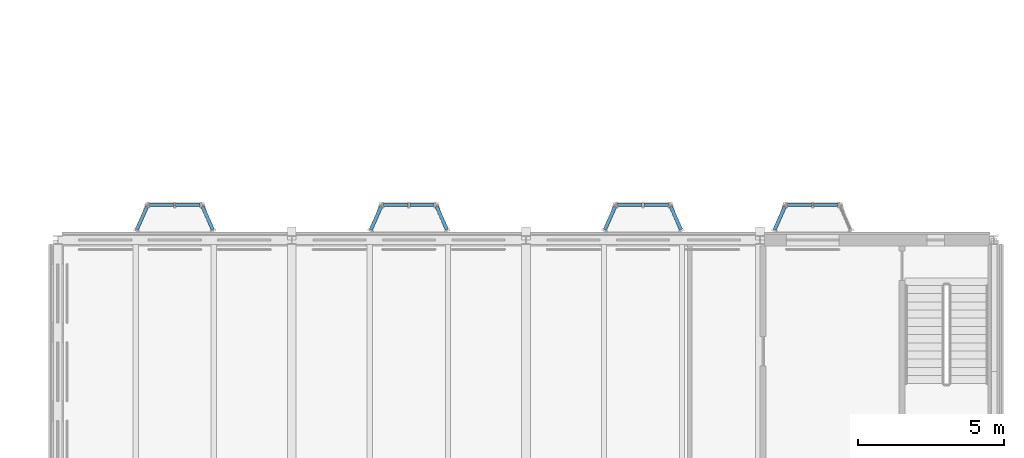
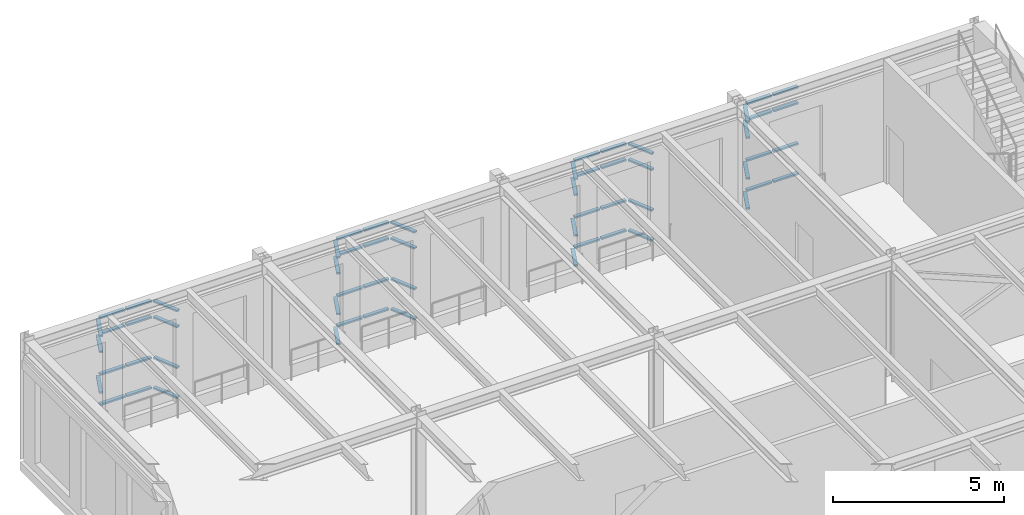
# One storey, part 79 of 153: 59 members, 11 elements without a shape of their own.
"""IFC4 building model written with IfcOpenShell, lengths in metres."""

from ifc_helpers import new_model, si_unit, direction, frame, origin, origin_2d, place, context, subcontext, project, spatial, hollow_rectangle, extrude, material, material_profile, profile_set, type_object, element, aggregate, save


model = new_model("IFC4")

# Units and contexts
model_context = context("Model", 3, precision=1e-05, world=origin(), true_north=direction((0.0, 1.0)))
body_context = subcontext(model_context, "Body", "Model", "MODEL_VIEW")
ifc_project = project(units=[si_unit("LENGTHUNIT", "METRE"), si_unit("AREAUNIT", "SQUARE_METRE"), si_unit("VOLUMEUNIT", "CUBIC_METRE"), si_unit("PLANEANGLEUNIT", "RADIAN"), si_unit("MASSUNIT", "GRAM", prefix="KILO")], contexts=[model_context])

# Site, building, storey
site_placement = place(None, origin())
site = spatial("IfcSite", under=ifc_project, at=site_placement, CompositionType="ELEMENT")
building_placement = place(site_placement, origin())
building = spatial("IfcBuilding", under=site, at=building_placement, Name="Kallimachos Central Library", CompositionType="ELEMENT")
storey_placement = place(building_placement, frame((0.0, 0.0, 5.39990234375)))
storey = spatial("IfcBuildingStorey", under=building, at=storey_placement, Name="L01", CompositionType="ELEMENT", Elevation=5.39990234375)

# Curtain wall, members
ifc_material_1 = material(Name="Laminated glass in anodised aluminium", Category="aluminium")
curtain_wall_type = type_object("IfcCurtainWallType", Name="Foyer curtain wall", PredefinedType="NOTDEFINED", material=ifc_material_1)
curtain_wall_1_placement = place(storey_placement, origin())
curtain_wall_1 = element("IfcCurtainWall", 1, at=curtain_wall_1_placement, inside=storey, type_object=curtain_wall_type, Name="Tribune bay return west", PredefinedType="NOTDEFINED")
ifc_material_2 = material(Name="Anodised aluminium", Category="aluminium")
ifc_material_profile = material_profile(ifc_material_2, hollow_rectangle(XDim=0.06005859375, YDim=0.1201171875, WallThickness=0.00390625, at=origin_2d()), Name="ALU TRANSOM 60x120")
ifc_profile_set = profile_set([ifc_material_profile], Name="Anodised aluminium")
member_type = type_object("IfcMemberType", Name="ALU TRANSOM 60x120 transom", PredefinedType="USERDEFINED", material=ifc_profile_set)
member_1_placement = place(storey_placement, frame((8.699462890625, 114.354736328125, 1.25), z_axis=(0.405876567244, 0.913927903154, 0.0), x_axis=(0.0, 0.0, 1.0)))
member_1 = element("IfcMember", 2, at=member_1_placement, type_object=member_type, Name="CW transom 1.2", ObjectType="TRANSOM", PredefinedType="USERDEFINED", context=body_context, shape_type="SweptSolid", body=[
    extrude(hollow_rectangle(XDim=0.06005859375, YDim=0.1201171875, WallThickness=0.00390625, at=origin_2d()), origin(), (0.0, 0.0, 1.0), 0.864990234375),
])
member_2_placement = place(storey_placement, frame((8.699462890625, 114.354736328125, 2.7001953125), z_axis=(0.405876567244, 0.913927903154, 0.0), x_axis=(0.0, 0.0, 1.0)))
member_2 = element("IfcMember", 3, at=member_2_placement, type_object=member_type, Name="CW transom 1.3", ObjectType="TRANSOM", PredefinedType="USERDEFINED", context=body_context, shape_type="SweptSolid", body=[
    extrude(hollow_rectangle(XDim=0.06005859375, YDim=0.1201171875, WallThickness=0.00390625, at=origin_2d()), origin(), (0.0, 0.0, 1.0), 0.864990234375),
])
member_3_placement = place(storey_placement, frame((8.699462890625, 114.354736328125, 3.27001953125), z_axis=(0.405876567244, 0.913927903154, 0.0), x_axis=(0.0, 0.0, 1.0)))
member_3 = element("IfcMember", 4, at=member_3_placement, type_object=member_type, Name="CW transom 1.4", ObjectType="TRANSOM", PredefinedType="USERDEFINED", context=body_context, shape_type="SweptSolid", body=[
    extrude(hollow_rectangle(XDim=0.06005859375, YDim=0.1201171875, WallThickness=0.00390625, at=origin_2d()), origin(), (0.0, 0.0, 1.0), 0.864990234375),
])
aggregate(curtain_wall_1, [member_1, member_2, member_3])

curtain_wall_2_placement = place(storey_placement, origin())
curtain_wall_2 = element("IfcCurtainWall", 5, at=curtain_wall_2_placement, inside=storey, type_object=curtain_wall_type, Name="Tribune bay front", PredefinedType="NOTDEFINED")
member_4_placement = place(storey_placement, frame((9.135009765625, 115.199951171875, 0.18017578125), z_axis=(1.0, 0.0, 0.0), x_axis=(0.0, 0.0, 1.0)))
member_4 = element("IfcMember", 6, at=member_4_placement, type_object=member_type, Name="CW transom 1.1", ObjectType="TRANSOM", PredefinedType="USERDEFINED", context=body_context, shape_type="SweptSolid", body=[
    extrude(hollow_rectangle(XDim=0.06005859375, YDim=0.1201171875, WallThickness=0.00390625, at=origin_2d()), origin(), (0.0, 0.0, 1.0), 0.8349609375),
])
member_5_placement = place(storey_placement, frame((9.135009765625, 115.199951171875, 1.25), z_axis=(1.0, 0.0, 0.0), x_axis=(0.0, 0.0, 1.0)))
member_5 = element("IfcMember", 7, at=member_5_placement, type_object=member_type, Name="CW transom 1.2", ObjectType="TRANSOM", PredefinedType="USERDEFINED", context=body_context, shape_type="SweptSolid", body=[
    extrude(hollow_rectangle(XDim=0.06005859375, YDim=0.1201171875, WallThickness=0.00390625, at=origin_2d()), origin(), (0.0, 0.0, 1.0), 0.8349609375),
])
member_6_placement = place(storey_placement, frame((9.135009765625, 115.199951171875, 2.7001953125), z_axis=(1.0, 0.0, 0.0), x_axis=(0.0, 0.0, 1.0)))
member_6 = element("IfcMember", 8, at=member_6_placement, type_object=member_type, Name="CW transom 1.3", ObjectType="TRANSOM", PredefinedType="USERDEFINED", context=body_context, shape_type="SweptSolid", body=[
    extrude(hollow_rectangle(XDim=0.06005859375, YDim=0.1201171875, WallThickness=0.00390625, at=origin_2d()), origin(), (0.0, 0.0, 1.0), 0.8349609375),
])
member_7_placement = place(storey_placement, frame((9.135009765625, 115.199951171875, 3.27001953125), z_axis=(1.0, 0.0, 0.0), x_axis=(0.0, 0.0, 1.0)))
member_7 = element("IfcMember", 9, at=member_7_placement, type_object=member_type, Name="CW transom 1.4", ObjectType="TRANSOM", PredefinedType="USERDEFINED", context=body_context, shape_type="SweptSolid", body=[
    extrude(hollow_rectangle(XDim=0.06005859375, YDim=0.1201171875, WallThickness=0.00390625, at=origin_2d()), origin(), (0.0, 0.0, 1.0), 0.8349609375),
])
member_8_placement = place(storey_placement, frame((10.030029296875, 115.199951171875, 0.18017578125), z_axis=(1.0, 0.0, 0.0), x_axis=(0.0, 0.0, 1.0)))
member_8 = element("IfcMember", 10, at=member_8_placement, type_object=member_type, Name="CW transom 2.1", ObjectType="TRANSOM", PredefinedType="USERDEFINED", context=body_context, shape_type="SweptSolid", body=[
    extrude(hollow_rectangle(XDim=0.06005859375, YDim=0.1201171875, WallThickness=0.00390625, at=origin_2d()), origin(), (0.0, 0.0, 1.0), 0.8349609375),
])
member_9_placement = place(storey_placement, frame((10.030029296875, 115.199951171875, 1.25), z_axis=(1.0, 0.0, 0.0), x_axis=(0.0, 0.0, 1.0)))
member_9 = element("IfcMember", 11, at=member_9_placement, type_object=member_type, Name="CW transom 2.2", ObjectType="TRANSOM", PredefinedType="USERDEFINED", context=body_context, shape_type="SweptSolid", body=[
    extrude(hollow_rectangle(XDim=0.06005859375, YDim=0.1201171875, WallThickness=0.00390625, at=origin_2d()), origin(), (0.0, 0.0, 1.0), 0.8349609375),
])
member_10_placement = place(storey_placement, frame((10.030029296875, 115.199951171875, 2.7001953125), z_axis=(1.0, 0.0, 0.0), x_axis=(0.0, 0.0, 1.0)))
member_10 = element("IfcMember", 12, at=member_10_placement, type_object=member_type, Name="CW transom 2.3", ObjectType="TRANSOM", PredefinedType="USERDEFINED", context=body_context, shape_type="SweptSolid", body=[
    extrude(hollow_rectangle(XDim=0.06005859375, YDim=0.1201171875, WallThickness=0.00390625, at=origin_2d()), origin(), (0.0, 0.0, 1.0), 0.8349609375),
])
member_11_placement = place(storey_placement, frame((10.030029296875, 115.199951171875, 3.27001953125), z_axis=(1.0, 0.0, 0.0), x_axis=(0.0, 0.0, 1.0)))
member_11 = element("IfcMember", 13, at=member_11_placement, type_object=member_type, Name="CW transom 2.4", ObjectType="TRANSOM", PredefinedType="USERDEFINED", context=body_context, shape_type="SweptSolid", body=[
    extrude(hollow_rectangle(XDim=0.06005859375, YDim=0.1201171875, WallThickness=0.00390625, at=origin_2d()), origin(), (0.0, 0.0, 1.0), 0.8349609375),
])
aggregate(curtain_wall_2, [member_4, member_5, member_6, member_7, member_8, member_9, member_10, member_11])

curtain_wall_3_placement = place(storey_placement, origin())
curtain_wall_3 = element("IfcCurtainWall", 14, at=curtain_wall_3_placement, inside=storey, type_object=curtain_wall_type, Name="Tribune bay return east", PredefinedType="NOTDEFINED")
member_12_placement = place(storey_placement, frame((10.949462890625, 115.145263671875, 0.18017578125), z_axis=(0.405876567244, -0.913927903154, 0.0), x_axis=(0.0, 0.0, 1.0)))
member_12 = element("IfcMember", 15, at=member_12_placement, type_object=member_type, Name="CW transom 1.1", ObjectType="TRANSOM", PredefinedType="USERDEFINED", context=body_context, shape_type="SweptSolid", body=[
    extrude(hollow_rectangle(XDim=0.06005859375, YDim=0.1201171875, WallThickness=0.00390625, at=origin_2d()), origin(), (0.0, 0.0, 1.0), 0.864990234375),
])
member_13_placement = place(storey_placement, frame((10.949462890625, 115.145263671875, 1.25), z_axis=(0.405876567244, -0.913927903154, 0.0), x_axis=(0.0, 0.0, 1.0)))
member_13 = element("IfcMember", 16, at=member_13_placement, type_object=member_type, Name="CW transom 1.2", ObjectType="TRANSOM", PredefinedType="USERDEFINED", context=body_context, shape_type="SweptSolid", body=[
    extrude(hollow_rectangle(XDim=0.06005859375, YDim=0.1201171875, WallThickness=0.00390625, at=origin_2d()), origin(), (0.0, 0.0, 1.0), 0.864990234375),
])
member_14_placement = place(storey_placement, frame((10.949462890625, 115.145263671875, 2.7001953125), z_axis=(0.405876567244, -0.913927903154, 0.0), x_axis=(0.0, 0.0, 1.0)))
member_14 = element("IfcMember", 17, at=member_14_placement, type_object=member_type, Name="CW transom 1.3", ObjectType="TRANSOM", PredefinedType="USERDEFINED", context=body_context, shape_type="SweptSolid", body=[
    extrude(hollow_rectangle(XDim=0.06005859375, YDim=0.1201171875, WallThickness=0.00390625, at=origin_2d()), origin(), (0.0, 0.0, 1.0), 0.864990234375),
])
member_15_placement = place(storey_placement, frame((10.949462890625, 115.145263671875, 3.27001953125), z_axis=(0.405876567244, -0.913927903154, 0.0), x_axis=(0.0, 0.0, 1.0)))
member_15 = element("IfcMember", 18, at=member_15_placement, type_object=member_type, Name="CW transom 1.4", ObjectType="TRANSOM", PredefinedType="USERDEFINED", context=body_context, shape_type="SweptSolid", body=[
    extrude(hollow_rectangle(XDim=0.06005859375, YDim=0.1201171875, WallThickness=0.00390625, at=origin_2d()), origin(), (0.0, 0.0, 1.0), 0.864990234375),
])
aggregate(curtain_wall_3, [member_12, member_13, member_14, member_15])

curtain_wall_4_placement = place(storey_placement, origin())
curtain_wall_4 = element("IfcCurtainWall", 19, at=curtain_wall_4_placement, inside=storey, type_object=curtain_wall_type, Name="Tribune bay return west", PredefinedType="NOTDEFINED")
member_16_placement = place(storey_placement, frame((16.699462890625, 114.354736328125, 0.18017578125), z_axis=(0.405876567244, 0.913927903154, 0.0), x_axis=(0.0, 0.0, 1.0)))
member_16 = element("IfcMember", 20, at=member_16_placement, type_object=member_type, Name="CW transom 1.1", ObjectType="TRANSOM", PredefinedType="USERDEFINED", context=body_context, shape_type="SweptSolid", body=[
    extrude(hollow_rectangle(XDim=0.06005859375, YDim=0.1201171875, WallThickness=0.00390625, at=origin_2d()), origin(), (0.0, 0.0, 1.0), 0.864990234375),
])
member_17_placement = place(storey_placement, frame((16.699462890625, 114.354736328125, 1.25), z_axis=(0.405876567244, 0.913927903154, 0.0), x_axis=(0.0, 0.0, 1.0)))
member_17 = element("IfcMember", 21, at=member_17_placement, type_object=member_type, Name="CW transom 1.2", ObjectType="TRANSOM", PredefinedType="USERDEFINED", context=body_context, shape_type="SweptSolid", body=[
    extrude(hollow_rectangle(XDim=0.06005859375, YDim=0.1201171875, WallThickness=0.00390625, at=origin_2d()), origin(), (0.0, 0.0, 1.0), 0.864990234375),
])
member_18_placement = place(storey_placement, frame((16.699462890625, 114.354736328125, 2.7001953125), z_axis=(0.405876567244, 0.913927903154, 0.0), x_axis=(0.0, 0.0, 1.0)))
member_18 = element("IfcMember", 22, at=member_18_placement, type_object=member_type, Name="CW transom 1.3", ObjectType="TRANSOM", PredefinedType="USERDEFINED", context=body_context, shape_type="SweptSolid", body=[
    extrude(hollow_rectangle(XDim=0.06005859375, YDim=0.1201171875, WallThickness=0.00390625, at=origin_2d()), origin(), (0.0, 0.0, 1.0), 0.864990234375),
])
member_19_placement = place(storey_placement, frame((16.699462890625, 114.354736328125, 3.27001953125), z_axis=(0.405876567244, 0.913927903154, 0.0), x_axis=(0.0, 0.0, 1.0)))
member_19 = element("IfcMember", 23, at=member_19_placement, type_object=member_type, Name="CW transom 1.4", ObjectType="TRANSOM", PredefinedType="USERDEFINED", context=body_context, shape_type="SweptSolid", body=[
    extrude(hollow_rectangle(XDim=0.06005859375, YDim=0.1201171875, WallThickness=0.00390625, at=origin_2d()), origin(), (0.0, 0.0, 1.0), 0.864990234375),
])
aggregate(curtain_wall_4, [member_16, member_17, member_18, member_19])

curtain_wall_5_placement = place(storey_placement, origin())
curtain_wall_5 = element("IfcCurtainWall", 24, at=curtain_wall_5_placement, inside=storey, type_object=curtain_wall_type, Name="Tribune bay front", PredefinedType="NOTDEFINED")
member_20_placement = place(storey_placement, frame((17.135009765625, 115.199951171875, 0.18017578125), z_axis=(1.0, 0.0, 0.0), x_axis=(0.0, 0.0, 1.0)))
member_20 = element("IfcMember", 25, at=member_20_placement, type_object=member_type, Name="CW transom 1.1", ObjectType="TRANSOM", PredefinedType="USERDEFINED", context=body_context, shape_type="SweptSolid", body=[
    extrude(hollow_rectangle(XDim=0.06005859375, YDim=0.1201171875, WallThickness=0.00390625, at=origin_2d()), origin(), (0.0, 0.0, 1.0), 0.8349609375),
])
member_21_placement = place(storey_placement, frame((17.135009765625, 115.199951171875, 1.25), z_axis=(1.0, 0.0, 0.0), x_axis=(0.0, 0.0, 1.0)))
member_21 = element("IfcMember", 26, at=member_21_placement, type_object=member_type, Name="CW transom 1.2", ObjectType="TRANSOM", PredefinedType="USERDEFINED", context=body_context, shape_type="SweptSolid", body=[
    extrude(hollow_rectangle(XDim=0.06005859375, YDim=0.1201171875, WallThickness=0.00390625, at=origin_2d()), origin(), (0.0, 0.0, 1.0), 0.8349609375),
])
member_22_placement = place(storey_placement, frame((17.135009765625, 115.199951171875, 2.7001953125), z_axis=(1.0, 0.0, 0.0), x_axis=(0.0, 0.0, 1.0)))
member_22 = element("IfcMember", 27, at=member_22_placement, type_object=member_type, Name="CW transom 1.3", ObjectType="TRANSOM", PredefinedType="USERDEFINED", context=body_context, shape_type="SweptSolid", body=[
    extrude(hollow_rectangle(XDim=0.06005859375, YDim=0.1201171875, WallThickness=0.00390625, at=origin_2d()), origin(), (0.0, 0.0, 1.0), 0.8349609375),
])
member_23_placement = place(storey_placement, frame((17.135009765625, 115.199951171875, 3.27001953125), z_axis=(1.0, 0.0, 0.0), x_axis=(0.0, 0.0, 1.0)))
member_23 = element("IfcMember", 28, at=member_23_placement, type_object=member_type, Name="CW transom 1.4", ObjectType="TRANSOM", PredefinedType="USERDEFINED", context=body_context, shape_type="SweptSolid", body=[
    extrude(hollow_rectangle(XDim=0.06005859375, YDim=0.1201171875, WallThickness=0.00390625, at=origin_2d()), origin(), (0.0, 0.0, 1.0), 0.8349609375),
])
member_24_placement = place(storey_placement, frame((18.030029296875, 115.199951171875, 0.18017578125), z_axis=(1.0, 0.0, 0.0), x_axis=(0.0, 0.0, 1.0)))
member_24 = element("IfcMember", 29, at=member_24_placement, type_object=member_type, Name="CW transom 2.1", ObjectType="TRANSOM", PredefinedType="USERDEFINED", context=body_context, shape_type="SweptSolid", body=[
    extrude(hollow_rectangle(XDim=0.06005859375, YDim=0.1201171875, WallThickness=0.00390625, at=origin_2d()), origin(), (0.0, 0.0, 1.0), 0.8349609375),
])
member_25_placement = place(storey_placement, frame((18.030029296875, 115.199951171875, 1.25), z_axis=(1.0, 0.0, 0.0), x_axis=(0.0, 0.0, 1.0)))
member_25 = element("IfcMember", 30, at=member_25_placement, type_object=member_type, Name="CW transom 2.2", ObjectType="TRANSOM", PredefinedType="USERDEFINED", context=body_context, shape_type="SweptSolid", body=[
    extrude(hollow_rectangle(XDim=0.06005859375, YDim=0.1201171875, WallThickness=0.00390625, at=origin_2d()), origin(), (0.0, 0.0, 1.0), 0.8349609375),
])
member_26_placement = place(storey_placement, frame((18.030029296875, 115.199951171875, 2.7001953125), z_axis=(1.0, 0.0, 0.0), x_axis=(0.0, 0.0, 1.0)))
member_26 = element("IfcMember", 31, at=member_26_placement, type_object=member_type, Name="CW transom 2.3", ObjectType="TRANSOM", PredefinedType="USERDEFINED", context=body_context, shape_type="SweptSolid", body=[
    extrude(hollow_rectangle(XDim=0.06005859375, YDim=0.1201171875, WallThickness=0.00390625, at=origin_2d()), origin(), (0.0, 0.0, 1.0), 0.8349609375),
])
member_27_placement = place(storey_placement, frame((18.030029296875, 115.199951171875, 3.27001953125), z_axis=(1.0, 0.0, 0.0), x_axis=(0.0, 0.0, 1.0)))
member_27 = element("IfcMember", 32, at=member_27_placement, type_object=member_type, Name="CW transom 2.4", ObjectType="TRANSOM", PredefinedType="USERDEFINED", context=body_context, shape_type="SweptSolid", body=[
    extrude(hollow_rectangle(XDim=0.06005859375, YDim=0.1201171875, WallThickness=0.00390625, at=origin_2d()), origin(), (0.0, 0.0, 1.0), 0.8349609375),
])
aggregate(curtain_wall_5, [member_20, member_21, member_22, member_23, member_24, member_25, member_26, member_27])

curtain_wall_6_placement = place(storey_placement, origin())
curtain_wall_6 = element("IfcCurtainWall", 33, at=curtain_wall_6_placement, inside=storey, type_object=curtain_wall_type, Name="Tribune bay return east", PredefinedType="NOTDEFINED")
member_28_placement = place(storey_placement, frame((18.949462890625, 115.145263671875, 0.18017578125), z_axis=(0.405876567244, -0.913927903154, 0.0), x_axis=(0.0, 0.0, 1.0)))
member_28 = element("IfcMember", 34, at=member_28_placement, type_object=member_type, Name="CW transom 1.1", ObjectType="TRANSOM", PredefinedType="USERDEFINED", context=body_context, shape_type="SweptSolid", body=[
    extrude(hollow_rectangle(XDim=0.06005859375, YDim=0.1201171875, WallThickness=0.00390625, at=origin_2d()), origin(), (0.0, 0.0, 1.0), 0.864990234375),
])
member_29_placement = place(storey_placement, frame((18.949462890625, 115.145263671875, 1.25), z_axis=(0.405876567244, -0.913927903154, 0.0), x_axis=(0.0, 0.0, 1.0)))
member_29 = element("IfcMember", 35, at=member_29_placement, type_object=member_type, Name="CW transom 1.2", ObjectType="TRANSOM", PredefinedType="USERDEFINED", context=body_context, shape_type="SweptSolid", body=[
    extrude(hollow_rectangle(XDim=0.06005859375, YDim=0.1201171875, WallThickness=0.00390625, at=origin_2d()), origin(), (0.0, 0.0, 1.0), 0.864990234375),
])
member_30_placement = place(storey_placement, frame((18.949462890625, 115.145263671875, 2.7001953125), z_axis=(0.405876567244, -0.913927903154, 0.0), x_axis=(0.0, 0.0, 1.0)))
member_30 = element("IfcMember", 36, at=member_30_placement, type_object=member_type, Name="CW transom 1.3", ObjectType="TRANSOM", PredefinedType="USERDEFINED", context=body_context, shape_type="SweptSolid", body=[
    extrude(hollow_rectangle(XDim=0.06005859375, YDim=0.1201171875, WallThickness=0.00390625, at=origin_2d()), origin(), (0.0, 0.0, 1.0), 0.864990234375),
])
member_31_placement = place(storey_placement, frame((18.949462890625, 115.145263671875, 3.27001953125), z_axis=(0.405876567244, -0.913927903154, 0.0), x_axis=(0.0, 0.0, 1.0)))
member_31 = element("IfcMember", 37, at=member_31_placement, type_object=member_type, Name="CW transom 1.4", ObjectType="TRANSOM", PredefinedType="USERDEFINED", context=body_context, shape_type="SweptSolid", body=[
    extrude(hollow_rectangle(XDim=0.06005859375, YDim=0.1201171875, WallThickness=0.00390625, at=origin_2d()), origin(), (0.0, 0.0, 1.0), 0.864990234375),
])
aggregate(curtain_wall_6, [member_28, member_29, member_30, member_31])

curtain_wall_7_placement = place(storey_placement, origin())
curtain_wall_7 = element("IfcCurtainWall", 38, at=curtain_wall_7_placement, inside=storey, type_object=curtain_wall_type, Name="Tribune bay return west", PredefinedType="NOTDEFINED")
member_32_placement = place(storey_placement, frame((24.699462890625, 114.354736328125, 0.18017578125), z_axis=(0.405876567244, 0.913927903154, 0.0), x_axis=(0.0, 0.0, 1.0)))
member_32 = element("IfcMember", 39, at=member_32_placement, type_object=member_type, Name="CW transom 1.1", ObjectType="TRANSOM", PredefinedType="USERDEFINED", context=body_context, shape_type="SweptSolid", body=[
    extrude(hollow_rectangle(XDim=0.06005859375, YDim=0.1201171875, WallThickness=0.00390625, at=origin_2d()), origin(), (0.0, 0.0, 1.0), 0.864990234375),
])
member_33_placement = place(storey_placement, frame((24.699462890625, 114.354736328125, 1.25), z_axis=(0.405876567244, 0.913927903154, 0.0), x_axis=(0.0, 0.0, 1.0)))
member_33 = element("IfcMember", 40, at=member_33_placement, type_object=member_type, Name="CW transom 1.2", ObjectType="TRANSOM", PredefinedType="USERDEFINED", context=body_context, shape_type="SweptSolid", body=[
    extrude(hollow_rectangle(XDim=0.06005859375, YDim=0.1201171875, WallThickness=0.00390625, at=origin_2d()), origin(), (0.0, 0.0, 1.0), 0.864990234375),
])
member_34_placement = place(storey_placement, frame((24.699462890625, 114.354736328125, 2.7001953125), z_axis=(0.405876567244, 0.913927903154, 0.0), x_axis=(0.0, 0.0, 1.0)))
member_34 = element("IfcMember", 41, at=member_34_placement, type_object=member_type, Name="CW transom 1.3", ObjectType="TRANSOM", PredefinedType="USERDEFINED", context=body_context, shape_type="SweptSolid", body=[
    extrude(hollow_rectangle(XDim=0.06005859375, YDim=0.1201171875, WallThickness=0.00390625, at=origin_2d()), origin(), (0.0, 0.0, 1.0), 0.864990234375),
])
member_35_placement = place(storey_placement, frame((24.699462890625, 114.354736328125, 3.27001953125), z_axis=(0.405876567244, 0.913927903154, 0.0), x_axis=(0.0, 0.0, 1.0)))
member_35 = element("IfcMember", 42, at=member_35_placement, type_object=member_type, Name="CW transom 1.4", ObjectType="TRANSOM", PredefinedType="USERDEFINED", context=body_context, shape_type="SweptSolid", body=[
    extrude(hollow_rectangle(XDim=0.06005859375, YDim=0.1201171875, WallThickness=0.00390625, at=origin_2d()), origin(), (0.0, 0.0, 1.0), 0.864990234375),
])
aggregate(curtain_wall_7, [member_32, member_33, member_34, member_35])

curtain_wall_8_placement = place(storey_placement, origin())
curtain_wall_8 = element("IfcCurtainWall", 43, at=curtain_wall_8_placement, inside=storey, type_object=curtain_wall_type, Name="Tribune bay front", PredefinedType="NOTDEFINED")
member_36_placement = place(storey_placement, frame((25.135009765625, 115.199951171875, 0.18017578125), z_axis=(1.0, 0.0, 0.0), x_axis=(0.0, 0.0, 1.0)))
member_36 = element("IfcMember", 44, at=member_36_placement, type_object=member_type, Name="CW transom 1.1", ObjectType="TRANSOM", PredefinedType="USERDEFINED", context=body_context, shape_type="SweptSolid", body=[
    extrude(hollow_rectangle(XDim=0.06005859375, YDim=0.1201171875, WallThickness=0.00390625, at=origin_2d()), origin(), (0.0, 0.0, 1.0), 0.8349609375),
])
member_37_placement = place(storey_placement, frame((25.135009765625, 115.199951171875, 1.25), z_axis=(1.0, 0.0, 0.0), x_axis=(0.0, 0.0, 1.0)))
member_37 = element("IfcMember", 45, at=member_37_placement, type_object=member_type, Name="CW transom 1.2", ObjectType="TRANSOM", PredefinedType="USERDEFINED", context=body_context, shape_type="SweptSolid", body=[
    extrude(hollow_rectangle(XDim=0.06005859375, YDim=0.1201171875, WallThickness=0.00390625, at=origin_2d()), origin(), (0.0, 0.0, 1.0), 0.8349609375),
])
member_38_placement = place(storey_placement, frame((25.135009765625, 115.199951171875, 2.7001953125), z_axis=(1.0, 0.0, 0.0), x_axis=(0.0, 0.0, 1.0)))
member_38 = element("IfcMember", 46, at=member_38_placement, type_object=member_type, Name="CW transom 1.3", ObjectType="TRANSOM", PredefinedType="USERDEFINED", context=body_context, shape_type="SweptSolid", body=[
    extrude(hollow_rectangle(XDim=0.06005859375, YDim=0.1201171875, WallThickness=0.00390625, at=origin_2d()), origin(), (0.0, 0.0, 1.0), 0.8349609375),
])
member_39_placement = place(storey_placement, frame((25.135009765625, 115.199951171875, 3.27001953125), z_axis=(1.0, 0.0, 0.0), x_axis=(0.0, 0.0, 1.0)))
member_39 = element("IfcMember", 47, at=member_39_placement, type_object=member_type, Name="CW transom 1.4", ObjectType="TRANSOM", PredefinedType="USERDEFINED", context=body_context, shape_type="SweptSolid", body=[
    extrude(hollow_rectangle(XDim=0.06005859375, YDim=0.1201171875, WallThickness=0.00390625, at=origin_2d()), origin(), (0.0, 0.0, 1.0), 0.8349609375),
])
member_40_placement = place(storey_placement, frame((26.030029296875, 115.199951171875, 0.18017578125), z_axis=(1.0, 0.0, 0.0), x_axis=(0.0, 0.0, 1.0)))
member_40 = element("IfcMember", 48, at=member_40_placement, type_object=member_type, Name="CW transom 2.1", ObjectType="TRANSOM", PredefinedType="USERDEFINED", context=body_context, shape_type="SweptSolid", body=[
    extrude(hollow_rectangle(XDim=0.06005859375, YDim=0.1201171875, WallThickness=0.00390625, at=origin_2d()), origin(), (0.0, 0.0, 1.0), 0.8349609375),
])
member_41_placement = place(storey_placement, frame((26.030029296875, 115.199951171875, 1.25), z_axis=(1.0, 0.0, 0.0), x_axis=(0.0, 0.0, 1.0)))
member_41 = element("IfcMember", 49, at=member_41_placement, type_object=member_type, Name="CW transom 2.2", ObjectType="TRANSOM", PredefinedType="USERDEFINED", context=body_context, shape_type="SweptSolid", body=[
    extrude(hollow_rectangle(XDim=0.06005859375, YDim=0.1201171875, WallThickness=0.00390625, at=origin_2d()), origin(), (0.0, 0.0, 1.0), 0.8349609375),
])
member_42_placement = place(storey_placement, frame((26.030029296875, 115.199951171875, 2.7001953125), z_axis=(1.0, 0.0, 0.0), x_axis=(0.0, 0.0, 1.0)))
member_42 = element("IfcMember", 50, at=member_42_placement, type_object=member_type, Name="CW transom 2.3", ObjectType="TRANSOM", PredefinedType="USERDEFINED", context=body_context, shape_type="SweptSolid", body=[
    extrude(hollow_rectangle(XDim=0.06005859375, YDim=0.1201171875, WallThickness=0.00390625, at=origin_2d()), origin(), (0.0, 0.0, 1.0), 0.8349609375),
])
member_43_placement = place(storey_placement, frame((26.030029296875, 115.199951171875, 3.27001953125), z_axis=(1.0, 0.0, 0.0), x_axis=(0.0, 0.0, 1.0)))
member_43 = element("IfcMember", 51, at=member_43_placement, type_object=member_type, Name="CW transom 2.4", ObjectType="TRANSOM", PredefinedType="USERDEFINED", context=body_context, shape_type="SweptSolid", body=[
    extrude(hollow_rectangle(XDim=0.06005859375, YDim=0.1201171875, WallThickness=0.00390625, at=origin_2d()), origin(), (0.0, 0.0, 1.0), 0.8349609375),
])
aggregate(curtain_wall_8, [member_36, member_37, member_38, member_39, member_40, member_41, member_42, member_43])

curtain_wall_9_placement = place(storey_placement, origin())
curtain_wall_9 = element("IfcCurtainWall", 52, at=curtain_wall_9_placement, inside=storey, type_object=curtain_wall_type, Name="Tribune bay return east", PredefinedType="NOTDEFINED")
member_44_placement = place(storey_placement, frame((26.949462890625, 115.145263671875, 0.18017578125), z_axis=(0.405876567244, -0.913927903154, 0.0), x_axis=(0.0, 0.0, 1.0)))
member_44 = element("IfcMember", 53, at=member_44_placement, type_object=member_type, Name="CW transom 1.1", ObjectType="TRANSOM", PredefinedType="USERDEFINED", context=body_context, shape_type="SweptSolid", body=[
    extrude(hollow_rectangle(XDim=0.06005859375, YDim=0.1201171875, WallThickness=0.00390625, at=origin_2d()), origin(), (0.0, 0.0, 1.0), 0.864990234375),
])
member_45_placement = place(storey_placement, frame((26.949462890625, 115.145263671875, 1.25), z_axis=(0.405876567244, -0.913927903154, 0.0), x_axis=(0.0, 0.0, 1.0)))
member_45 = element("IfcMember", 54, at=member_45_placement, type_object=member_type, Name="CW transom 1.2", ObjectType="TRANSOM", PredefinedType="USERDEFINED", context=body_context, shape_type="SweptSolid", body=[
    extrude(hollow_rectangle(XDim=0.06005859375, YDim=0.1201171875, WallThickness=0.00390625, at=origin_2d()), origin(), (0.0, 0.0, 1.0), 0.864990234375),
])
member_46_placement = place(storey_placement, frame((26.949462890625, 115.145263671875, 2.7001953125), z_axis=(0.405876567244, -0.913927903154, 0.0), x_axis=(0.0, 0.0, 1.0)))
member_46 = element("IfcMember", 55, at=member_46_placement, type_object=member_type, Name="CW transom 1.3", ObjectType="TRANSOM", PredefinedType="USERDEFINED", context=body_context, shape_type="SweptSolid", body=[
    extrude(hollow_rectangle(XDim=0.06005859375, YDim=0.1201171875, WallThickness=0.00390625, at=origin_2d()), origin(), (0.0, 0.0, 1.0), 0.864990234375),
])
member_47_placement = place(storey_placement, frame((26.949462890625, 115.145263671875, 3.27001953125), z_axis=(0.405876567244, -0.913927903154, 0.0), x_axis=(0.0, 0.0, 1.0)))
member_47 = element("IfcMember", 56, at=member_47_placement, type_object=member_type, Name="CW transom 1.4", ObjectType="TRANSOM", PredefinedType="USERDEFINED", context=body_context, shape_type="SweptSolid", body=[
    extrude(hollow_rectangle(XDim=0.06005859375, YDim=0.1201171875, WallThickness=0.00390625, at=origin_2d()), origin(), (0.0, 0.0, 1.0), 0.864990234375),
])
aggregate(curtain_wall_9, [member_44, member_45, member_46, member_47])

curtain_wall_10_placement = place(storey_placement, origin())
curtain_wall_10 = element("IfcCurtainWall", 57, at=curtain_wall_10_placement, inside=storey, type_object=curtain_wall_type, Name="Tribune bay return west", PredefinedType="NOTDEFINED")
member_48_placement = place(storey_placement, frame((30.499267578125, 114.354736328125, 0.18017578125), z_axis=(0.406112280674, 0.913823186117, 0.0), x_axis=(0.0, 0.0, 1.0)))
member_48 = element("IfcMember", 58, at=member_48_placement, type_object=member_type, Name="CW transom 1.1", ObjectType="TRANSOM", PredefinedType="USERDEFINED", context=body_context, shape_type="SweptSolid", body=[
    extrude(hollow_rectangle(XDim=0.06005859375, YDim=0.1201171875, WallThickness=0.00390625, at=origin_2d()), origin(), (0.0, 0.0, 1.0), 0.864990234375),
])
member_49_placement = place(storey_placement, frame((30.499267578125, 114.354736328125, 1.25), z_axis=(0.406112280674, 0.913823186117, 0.0), x_axis=(0.0, 0.0, 1.0)))
member_49 = element("IfcMember", 59, at=member_49_placement, type_object=member_type, Name="CW transom 1.2", ObjectType="TRANSOM", PredefinedType="USERDEFINED", context=body_context, shape_type="SweptSolid", body=[
    extrude(hollow_rectangle(XDim=0.06005859375, YDim=0.1201171875, WallThickness=0.00390625, at=origin_2d()), origin(), (0.0, 0.0, 1.0), 0.864990234375),
])
member_50_placement = place(storey_placement, frame((30.499267578125, 114.354736328125, 2.7001953125), z_axis=(0.406112280674, 0.913823186117, 0.0), x_axis=(0.0, 0.0, 1.0)))
member_50 = element("IfcMember", 60, at=member_50_placement, type_object=member_type, Name="CW transom 1.3", ObjectType="TRANSOM", PredefinedType="USERDEFINED", context=body_context, shape_type="SweptSolid", body=[
    extrude(hollow_rectangle(XDim=0.06005859375, YDim=0.1201171875, WallThickness=0.00390625, at=origin_2d()), origin(), (0.0, 0.0, 1.0), 0.864990234375),
])
member_51_placement = place(storey_placement, frame((30.499267578125, 114.354736328125, 3.27001953125), z_axis=(0.406112280674, 0.913823186117, 0.0), x_axis=(0.0, 0.0, 1.0)))
member_51 = element("IfcMember", 61, at=member_51_placement, type_object=member_type, Name="CW transom 1.4", ObjectType="TRANSOM", PredefinedType="USERDEFINED", context=body_context, shape_type="SweptSolid", body=[
    extrude(hollow_rectangle(XDim=0.06005859375, YDim=0.1201171875, WallThickness=0.00390625, at=origin_2d()), origin(), (0.0, 0.0, 1.0), 0.864990234375),
])
aggregate(curtain_wall_10, [member_48, member_49, member_50, member_51])

curtain_wall_11_placement = place(storey_placement, origin())
curtain_wall_11 = element("IfcCurtainWall", 62, at=curtain_wall_11_placement, inside=storey, type_object=curtain_wall_type, Name="Tribune bay front", PredefinedType="NOTDEFINED")
member_52_placement = place(storey_placement, frame((30.93505859375, 115.199951171875, 0.18017578125), z_axis=(1.0, 0.0, 0.0), x_axis=(0.0, 0.0, 1.0)))
member_52 = element("IfcMember", 63, at=member_52_placement, type_object=member_type, Name="CW transom 1.1", ObjectType="TRANSOM", PredefinedType="USERDEFINED", context=body_context, shape_type="SweptSolid", body=[
    extrude(hollow_rectangle(XDim=0.06005859375, YDim=0.1201171875, WallThickness=0.00390625, at=origin_2d()), origin(), (0.0, 0.0, 1.0), 0.8349609375),
])
member_53_placement = place(storey_placement, frame((30.93505859375, 115.199951171875, 1.25), z_axis=(1.0, 0.0, 0.0), x_axis=(0.0, 0.0, 1.0)))
member_53 = element("IfcMember", 64, at=member_53_placement, type_object=member_type, Name="CW transom 1.2", ObjectType="TRANSOM", PredefinedType="USERDEFINED", context=body_context, shape_type="SweptSolid", body=[
    extrude(hollow_rectangle(XDim=0.06005859375, YDim=0.1201171875, WallThickness=0.00390625, at=origin_2d()), origin(), (0.0, 0.0, 1.0), 0.8349609375),
])
member_54_placement = place(storey_placement, frame((30.93505859375, 115.199951171875, 2.7001953125), z_axis=(1.0, 0.0, 0.0), x_axis=(0.0, 0.0, 1.0)))
member_54 = element("IfcMember", 65, at=member_54_placement, type_object=member_type, Name="CW transom 1.3", ObjectType="TRANSOM", PredefinedType="USERDEFINED", context=body_context, shape_type="SweptSolid", body=[
    extrude(hollow_rectangle(XDim=0.06005859375, YDim=0.1201171875, WallThickness=0.00390625, at=origin_2d()), origin(), (0.0, 0.0, 1.0), 0.8349609375),
])
member_55_placement = place(storey_placement, frame((30.93505859375, 115.199951171875, 3.27001953125), z_axis=(1.0, 0.0, 0.0), x_axis=(0.0, 0.0, 1.0)))
member_55 = element("IfcMember", 66, at=member_55_placement, type_object=member_type, Name="CW transom 1.4", ObjectType="TRANSOM", PredefinedType="USERDEFINED", context=body_context, shape_type="SweptSolid", body=[
    extrude(hollow_rectangle(XDim=0.06005859375, YDim=0.1201171875, WallThickness=0.00390625, at=origin_2d()), origin(), (0.0, 0.0, 1.0), 0.8349609375),
])
member_56_placement = place(storey_placement, frame((31.830078125, 115.199951171875, 0.18017578125), z_axis=(1.0, 0.0, 0.0), x_axis=(0.0, 0.0, 1.0)))
member_56 = element("IfcMember", 67, at=member_56_placement, type_object=member_type, Name="CW transom 2.1", ObjectType="TRANSOM", PredefinedType="USERDEFINED", context=body_context, shape_type="SweptSolid", body=[
    extrude(hollow_rectangle(XDim=0.06005859375, YDim=0.1201171875, WallThickness=0.00390625, at=origin_2d()), origin(), (0.0, 0.0, 1.0), 0.8349609375),
])
member_57_placement = place(storey_placement, frame((31.830078125, 115.199951171875, 1.25), z_axis=(1.0, 0.0, 0.0), x_axis=(0.0, 0.0, 1.0)))
member_57 = element("IfcMember", 68, at=member_57_placement, type_object=member_type, Name="CW transom 2.2", ObjectType="TRANSOM", PredefinedType="USERDEFINED", context=body_context, shape_type="SweptSolid", body=[
    extrude(hollow_rectangle(XDim=0.06005859375, YDim=0.1201171875, WallThickness=0.00390625, at=origin_2d()), origin(), (0.0, 0.0, 1.0), 0.8349609375),
])
member_58_placement = place(storey_placement, frame((31.830078125, 115.199951171875, 2.7001953125), z_axis=(1.0, 0.0, 0.0), x_axis=(0.0, 0.0, 1.0)))
member_58 = element("IfcMember", 69, at=member_58_placement, type_object=member_type, Name="CW transom 2.3", ObjectType="TRANSOM", PredefinedType="USERDEFINED", context=body_context, shape_type="SweptSolid", body=[
    extrude(hollow_rectangle(XDim=0.06005859375, YDim=0.1201171875, WallThickness=0.00390625, at=origin_2d()), origin(), (0.0, 0.0, 1.0), 0.8349609375),
])
member_59_placement = place(storey_placement, frame((31.830078125, 115.199951171875, 3.27001953125), z_axis=(1.0, 0.0, 0.0), x_axis=(0.0, 0.0, 1.0)))
member_59 = element("IfcMember", 70, at=member_59_placement, type_object=member_type, Name="CW transom 2.4", ObjectType="TRANSOM", PredefinedType="USERDEFINED", context=body_context, shape_type="SweptSolid", body=[
    extrude(hollow_rectangle(XDim=0.06005859375, YDim=0.1201171875, WallThickness=0.00390625, at=origin_2d()), origin(), (0.0, 0.0, 1.0), 0.8349609375),
])
aggregate(curtain_wall_11, [member_52, member_53, member_54, member_55, member_56, member_57, member_58, member_59])

save(model, "model.ifc")
